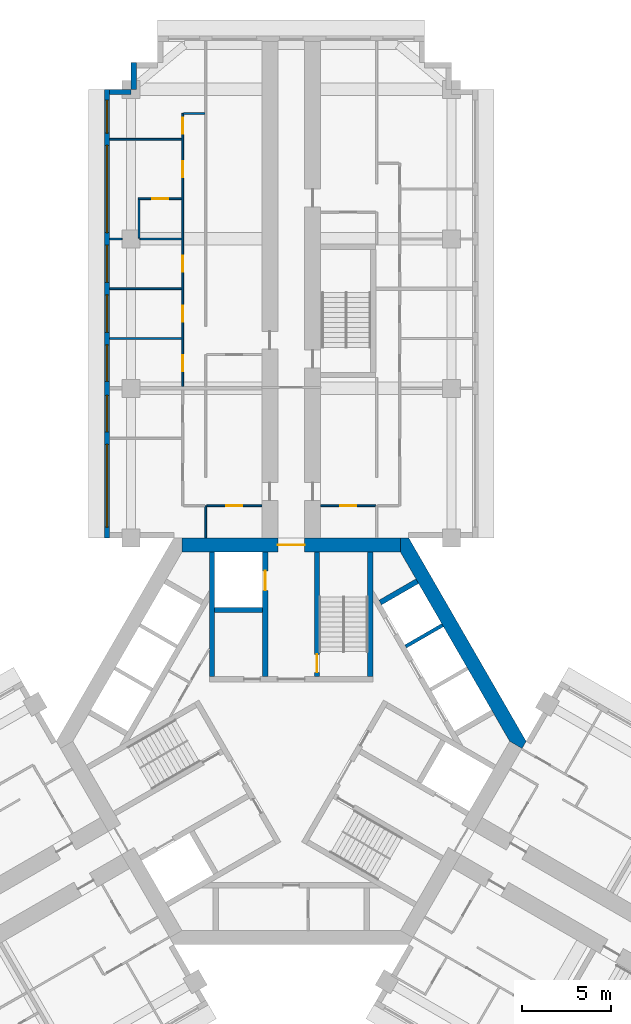
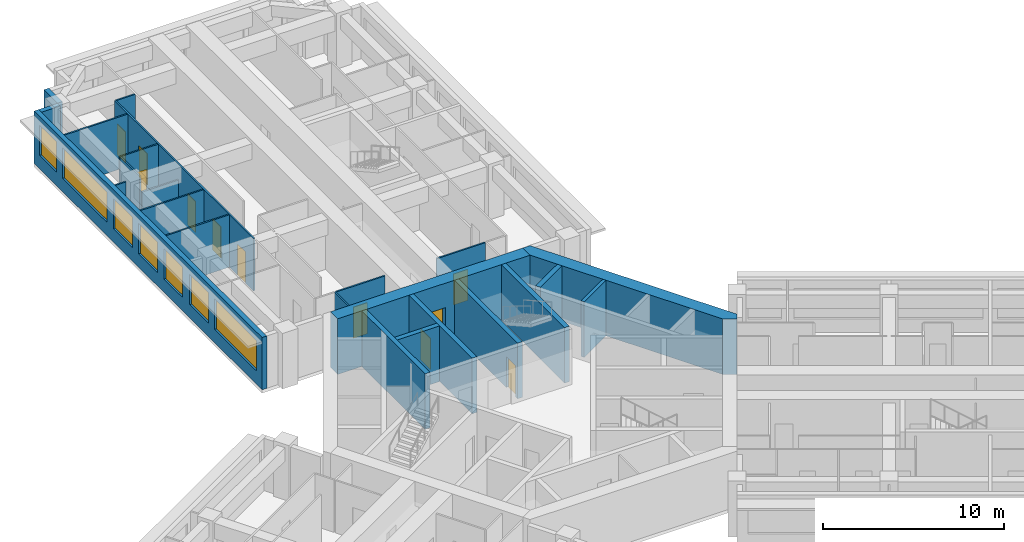
# One storey, part 8 of 12: 24 walls, 11 doors, 7 windows, 18 openings.
"""IFC4 building model written with IfcOpenShell, lengths in metres."""

from ifc_helpers import new_model, si_unit, direction, frame, frame_2d, origin, place, context, subcontext, project, spatial, polyline, rectangle, outline, extrude, material, layer, layer_set, type_object, element, fill, save


model = new_model("IFC4")

# Units and contexts
model_context = context("Model", 3, precision=1e-05, world=origin(), true_north=direction((0.0, 1.0)))
body_context = subcontext(model_context, "Body", "Model", "MODEL_VIEW")
ifc_project = project(units=[si_unit("LENGTHUNIT", "METRE"), si_unit("AREAUNIT", "SQUARE_METRE"), si_unit("VOLUMEUNIT", "CUBIC_METRE"), si_unit("PLANEANGLEUNIT", "RADIAN"), si_unit("MASSUNIT", "GRAM", prefix="KILO")], contexts=[model_context])

# Site, building, storey
site_placement = place(None, origin())
site = spatial("IfcSite", under=ifc_project, at=site_placement, CompositionType="ELEMENT")
building_placement = place(site_placement, origin())
building = spatial("IfcBuilding", under=site, at=building_placement, Name="Impinga Residences", CompositionType="ELEMENT")
storey_placement = place(building_placement, frame((0.0, 0.0, 173.5)))
storey = spatial("IfcBuildingStorey", under=building, at=storey_placement, Name="L43", CompositionType="ELEMENT", Elevation=173.5)

# Wall, openings, windows
ifc_material_1 = material(Name="Terracotta rainscreen on blockwork", Category="masonry")
ifc_layer_1 = layer(ifc_material_1, 0.300048828125)
ifc_layer_set_1 = layer_set([ifc_layer_1], Name="EW1 external wall, terracotta rainscreen on blockwork 300")
wall_type_1 = type_object("IfcWallType", Name="EW1 external wall, terracotta rainscreen on blockwork 300", PredefinedType="SOLIDWALL", material=ifc_layer_set_1)
wall_1_placement = place(storey_placement, frame((-10.35009765625, 11.431640625, 0.0), z_axis=(0.0, 0.0, 1.0), x_axis=(0.0, 1.0, 0.0)))
wall_1 = element("IfcWall", 1, at=wall_1_placement, inside=storey, type_object=wall_type_1, Name="External wall EW1 L43", PredefinedType="SOLIDWALL", context=body_context, shape_type="SweptSolid", body=[
    extrude(rectangle(XDim=25.199951171875, YDim=0.300048828125, at=frame_2d((12.60009765625, 0.0))), origin(), (0.0, 0.0, 1.0), 3.530029296875),
])
opening_1_placement = place(wall_1_placement, frame((0.60009765625, 0.0, 0.89990234375)))
opening_1 = element("IfcOpeningElement", 2, at=opening_1_placement, cuts=wall_1, Name="Opening W10", PredefinedType="OPENING", context=body_context, shape_type="SweptSolid", body=[
    extrude(rectangle(XDim=4.64990234375, YDim=2.050048828125, at=frame_2d((2.324951171875, 1.02490234375))), frame((0.0, 0.159912109375, 0.0), z_axis=(0.0, -1.0, 0.0), x_axis=(1.0, 0.0, 0.0)), (0.0, 0.0, 1.0), 0.320068359375),
])
opening_2_placement = place(wall_1_placement, frame((5.949951171875, 0.0, 0.89990234375)))
opening_2 = element("IfcOpeningElement", 3, at=opening_2_placement, cuts=wall_1, Name="Opening W14", PredefinedType="OPENING", context=body_context, shape_type="SweptSolid", body=[
    extrude(rectangle(XDim=2.050048828125, YDim=2.050048828125, at=frame_2d((1.02490234375, 1.02490234375))), frame((0.0, 0.159912109375, 0.0), z_axis=(0.0, -1.0, 0.0), x_axis=(1.0, 0.0, 0.0)), (0.0, 0.0, 1.0), 0.320068359375),
])
opening_3_placement = place(wall_1_placement, frame((8.800048828125, 0.0, 0.89990234375)))
opening_3 = element("IfcOpeningElement", 4, at=opening_3_placement, cuts=wall_1, Name="Opening W14", PredefinedType="OPENING", context=body_context, shape_type="SweptSolid", body=[
    extrude(rectangle(XDim=2.050048828125, YDim=2.050048828125, at=frame_2d((1.02490234375, 1.02490234375))), frame((0.0, 0.159912109375, 0.0), z_axis=(0.0, -1.0, 0.0), x_axis=(1.0, 0.0, 0.0)), (0.0, 0.0, 1.0), 0.320068359375),
])
opening_4_placement = place(wall_1_placement, frame((11.550048828125, 0.0, 0.89990234375)))
opening_4 = element("IfcOpeningElement", 5, at=opening_4_placement, cuts=wall_1, Name="Opening W9", PredefinedType="OPENING", context=body_context, shape_type="SweptSolid", body=[
    extrude(rectangle(XDim=2.10009765625, YDim=2.050048828125, at=frame_2d((1.050048828125, 1.02490234375))), frame((0.0, 0.159912109375, 0.0), z_axis=(0.0, -1.0, 0.0), x_axis=(1.0, 0.0, 0.0)), (0.0, 0.0, 1.0), 0.320068359375),
])
opening_5_placement = place(wall_1_placement, frame((14.35009765625, 0.0, 0.89990234375)))
opening_5 = element("IfcOpeningElement", 6, at=opening_5_placement, cuts=wall_1, Name="Opening W9", PredefinedType="OPENING", context=body_context, shape_type="SweptSolid", body=[
    extrude(rectangle(XDim=2.10009765625, YDim=2.050048828125, at=frame_2d((1.050048828125, 1.02490234375))), frame((0.0, 0.159912109375, 0.0), z_axis=(0.0, -1.0, 0.0), x_axis=(1.0, 0.0, 0.0)), (0.0, 0.0, 1.0), 0.320068359375),
])
opening_6_placement = place(wall_1_placement, frame((17.14990234375, 0.0, 0.89990234375)))
opening_6 = element("IfcOpeningElement", 7, at=opening_6_placement, cuts=wall_1, Name="Opening W16", PredefinedType="OPENING", context=body_context, shape_type="SweptSolid", body=[
    extrude(rectangle(XDim=4.89990234375, YDim=2.050048828125, at=frame_2d((2.449951171875, 1.02490234375))), frame((0.0, 0.159912109375, 0.0), z_axis=(0.0, -1.0, 0.0), x_axis=(1.0, 0.0, 0.0)), (0.0, 0.0, 1.0), 0.320068359375),
])
opening_7_placement = place(wall_1_placement, frame((22.75, 0.0, 0.89990234375)))
opening_7 = element("IfcOpeningElement", 8, at=opening_7_placement, cuts=wall_1, Name="Opening W15", PredefinedType="OPENING", context=body_context, shape_type="SweptSolid", body=[
    extrude(rectangle(XDim=1.85009765625, YDim=2.050048828125, at=frame_2d((0.925048828125, 1.02490234375))), frame((0.0, 0.159912109375, 0.0), z_axis=(0.0, -1.0, 0.0), x_axis=(1.0, 0.0, 0.0)), (0.0, 0.0, 1.0), 0.320068359375),
])
ifc_material_2 = material(Name="Aluminium window, clear double glazing", Category="aluminium")
window_type_1 = type_object("IfcWindowType", Name="W10 ribbon window 4650x2050", PartitioningType="SINGLE_PANEL", PredefinedType="WINDOW", material=ifc_material_2)
window_1_placement = place(opening_1_placement, origin())
window_1 = element("IfcWindow", 9, at=window_1_placement, inside=storey, type_object=window_type_1, Name="Window L43", OverallHeight=2.050048828125, OverallWidth=4.64990234375, PartitioningType="SINGLE_PANEL", PredefinedType="WINDOW", context=body_context, shape_type="SweptSolid", body=[
    extrude(rectangle(XDim=4.64990234375, YDim=2.050048828125, at=frame_2d((2.324951171875, 1.02490234375))), frame((0.0, 0.030029296875, 0.0), z_axis=(0.0, -1.0, 0.0), x_axis=(1.0, 0.0, 0.0)), (0.0, 0.0, 1.0), 0.06005859375),
])
fill(opening_1, window_1)
window_type_2 = type_object("IfcWindowType", Name="W14 ribbon window 2050x2050", PartitioningType="SINGLE_PANEL", PredefinedType="WINDOW", material=ifc_material_2)
window_2_placement = place(opening_2_placement, origin())
window_2 = element("IfcWindow", 10, at=window_2_placement, inside=storey, type_object=window_type_2, Name="Window L43", OverallHeight=2.050048828125, OverallWidth=2.050048828125, PartitioningType="SINGLE_PANEL", PredefinedType="WINDOW", context=body_context, shape_type="SweptSolid", body=[
    extrude(rectangle(XDim=2.050048828125, YDim=2.050048828125, at=frame_2d((1.02490234375, 1.02490234375))), frame((0.0, 0.030029296875, 0.0), z_axis=(0.0, -1.0, 0.0), x_axis=(1.0, 0.0, 0.0)), (0.0, 0.0, 1.0), 0.06005859375),
])
fill(opening_2, window_2)
window_3_placement = place(opening_3_placement, origin())
window_3 = element("IfcWindow", 11, at=window_3_placement, inside=storey, type_object=window_type_2, Name="Window L43", OverallHeight=2.050048828125, OverallWidth=2.050048828125, PartitioningType="SINGLE_PANEL", PredefinedType="WINDOW", context=body_context, shape_type="SweptSolid", body=[
    extrude(rectangle(XDim=2.050048828125, YDim=2.050048828125, at=frame_2d((1.02490234375, 1.02490234375))), frame((0.0, 0.030029296875, 0.0), z_axis=(0.0, -1.0, 0.0), x_axis=(1.0, 0.0, 0.0)), (0.0, 0.0, 1.0), 0.06005859375),
])
fill(opening_3, window_3)
window_type_3 = type_object("IfcWindowType", Name="W15 ribbon window 1850x2050", PartitioningType="SINGLE_PANEL", PredefinedType="WINDOW", material=ifc_material_2)
window_4_placement = place(opening_7_placement, origin())
window_4 = element("IfcWindow", 12, at=window_4_placement, inside=storey, type_object=window_type_3, Name="Window L43", OverallHeight=2.050048828125, OverallWidth=1.85009765625, PartitioningType="SINGLE_PANEL", PredefinedType="WINDOW", context=body_context, shape_type="SweptSolid", body=[
    extrude(rectangle(XDim=1.85009765625, YDim=2.050048828125, at=frame_2d((0.925048828125, 1.02490234375))), frame((0.0, 0.030029296875, 0.0), z_axis=(0.0, -1.0, 0.0), x_axis=(1.0, 0.0, 0.0)), (0.0, 0.0, 1.0), 0.06005859375),
])
fill(opening_7, window_4)
window_type_4 = type_object("IfcWindowType", Name="W16 ribbon window 4900x2050", PartitioningType="SINGLE_PANEL", PredefinedType="WINDOW", material=ifc_material_2)
window_5_placement = place(opening_6_placement, origin())
window_5 = element("IfcWindow", 13, at=window_5_placement, inside=storey, type_object=window_type_4, Name="Window L43", OverallHeight=2.050048828125, OverallWidth=4.89990234375, PartitioningType="SINGLE_PANEL", PredefinedType="WINDOW", context=body_context, shape_type="SweptSolid", body=[
    extrude(rectangle(XDim=4.89990234375, YDim=2.050048828125, at=frame_2d((2.449951171875, 1.02490234375))), frame((0.0, 0.030029296875, 0.0), z_axis=(0.0, -1.0, 0.0), x_axis=(1.0, 0.0, 0.0)), (0.0, 0.0, 1.0), 0.06005859375),
])
fill(opening_6, window_5)
window_type_5 = type_object("IfcWindowType", Name="W9 ribbon window 2100x2050", PartitioningType="SINGLE_PANEL", PredefinedType="WINDOW", material=ifc_material_2)
window_6_placement = place(opening_4_placement, origin())
window_6 = element("IfcWindow", 14, at=window_6_placement, inside=storey, type_object=window_type_5, Name="Window L43", OverallHeight=2.050048828125, OverallWidth=2.10009765625, PartitioningType="SINGLE_PANEL", PredefinedType="WINDOW", context=body_context, shape_type="SweptSolid", body=[
    extrude(rectangle(XDim=2.10009765625, YDim=2.050048828125, at=frame_2d((1.050048828125, 1.02490234375))), frame((0.0, 0.030029296875, 0.0), z_axis=(0.0, -1.0, 0.0), x_axis=(1.0, 0.0, 0.0)), (0.0, 0.0, 1.0), 0.06005859375),
])
fill(opening_4, window_6)
window_7_placement = place(opening_5_placement, origin())
window_7 = element("IfcWindow", 15, at=window_7_placement, inside=storey, type_object=window_type_5, Name="Window L43", OverallHeight=2.050048828125, OverallWidth=2.10009765625, PartitioningType="SINGLE_PANEL", PredefinedType="WINDOW", context=body_context, shape_type="SweptSolid", body=[
    extrude(rectangle(XDim=2.10009765625, YDim=2.050048828125, at=frame_2d((1.050048828125, 1.02490234375))), frame((0.0, 0.030029296875, 0.0), z_axis=(0.0, -1.0, 0.0), x_axis=(1.0, 0.0, 0.0)), (0.0, 0.0, 1.0), 0.06005859375),
])
fill(opening_5, window_7)

# Walls
wall_2_placement = place(storey_placement, frame((-10.199951171875, 36.4814453125, 0.0), z_axis=(0.0, 0.0, 1.0), x_axis=(1.0, 0.0, 0.0)))
element("IfcWall", 16, at=wall_2_placement, inside=storey, type_object=wall_type_1, Name="External wall EW1 L43", PredefinedType="SOLIDWALL", context=body_context, shape_type="SweptSolid", body=[
    extrude(rectangle(XDim=1.199951171875, YDim=0.300048828125, at=frame_2d((0.60009765625, 0.0))), origin(), (0.0, 0.0, 1.0), 3.530029296875),
])
wall_3_placement = place(storey_placement, frame((-8.85009765625, 36.636474609375, 0.0), z_axis=(0.0, 0.0, 1.0), x_axis=(0.0, 1.0, 0.0)))
element("IfcWall", 17, at=wall_3_placement, inside=storey, type_object=wall_type_1, Name="External wall EW1 L43", PredefinedType="SOLIDWALL", context=body_context, shape_type="SweptSolid", body=[
    extrude(rectangle(XDim=1.4951171875, YDim=0.300048828125, at=frame_2d((0.74755859375, 0.0))), origin(), (0.0, 0.0, 1.0), 3.530029296875),
])
ifc_material_3 = material(Name="Gypsum board on steel studs", Category="steel")
ifc_layer_2 = layer(ifc_material_3, 0.10009765625)
ifc_layer_set_2 = layer_set([ifc_layer_2], Name="Gypsum board on steel studs")
wall_type_2 = type_object("IfcWallType", Name="IP1 partition 100", PredefinedType="PARTITIONING", material=ifc_layer_set_2)
wall_4_placement = place(storey_placement, frame((-4.800048828125, 11.431640625, 0.0), z_axis=(0.0, 0.0, 1.0), x_axis=(0.0, 1.0, 0.0)))
element("IfcWall", 18, at=wall_4_placement, inside=storey, type_object=wall_type_2, Name="Partition L43-NA1:DIV0", PredefinedType="PARTITIONING", context=body_context, shape_type="SweptSolid", body=[
    extrude(rectangle(XDim=1.7998046875, YDim=0.10009765625, at=frame_2d((0.89990234375, 0.0))), origin(), (0.0, 0.0, 1.0), 3.530029296875),
])

# Wall, opening, door
wall_5_placement = place(storey_placement, frame((-1.64990234375, 13.2314453125, 0.0), z_axis=(0.0, 0.0, 1.0), x_axis=(-1.0, 0.0, 0.0)))
wall_5 = element("IfcWall", 19, at=wall_5_placement, inside=storey, type_object=wall_type_2, Name="Partition L43-NA1:IB1", PredefinedType="PARTITIONING", context=body_context, shape_type="SweptSolid", body=[
    extrude(rectangle(XDim=3.10009765625, YDim=0.10009765625, at=frame_2d((1.550048828125, 0.0))), origin(), (0.0, 0.0, 1.0), 3.530029296875),
])
opening_8_placement = place(wall_5_placement, frame((1.10009765625, 0.0, 0.0)))
opening_8 = element("IfcOpeningElement", 20, at=opening_8_placement, cuts=wall_5, Name="Opening D2", PredefinedType="OPENING", context=body_context, shape_type="SweptSolid", body=[
    extrude(rectangle(XDim=0.89990234375, YDim=2.10009765625, at=frame_2d((0.449951171875, 1.050048828125))), frame((0.0, 0.06005859375, 0.0), z_axis=(0.0, -1.0, 0.0), x_axis=(1.0, 0.0, 0.0)), (0.0, 0.0, 1.0), 0.1201171875),
])
ifc_material_4 = material(Name="Timber door set", Category="wood")
door_type_1 = type_object("IfcDoorType", Name="D2 internal door 900x2100", OperationType="SINGLE_SWING_LEFT", PredefinedType="DOOR", material=ifc_material_4)
door_1_placement = place(opening_8_placement, origin())
door_1 = element("IfcDoor", 21, at=door_1_placement, inside=storey, type_object=door_type_1, Name="Apartment L43-NA1 bathroom door", OperationType="SINGLE_SWING_LEFT", OverallHeight=2.10009765625, OverallWidth=0.89990234375, PredefinedType="DOOR", context=body_context, shape_type="SweptSolid", body=[
    extrude(rectangle(XDim=0.89990234375, YDim=2.10009765625, at=frame_2d((0.449951171875, 1.050048828125))), frame((0.0, 0.02490234375, 0.0), z_axis=(0.0, -1.0, 0.0), x_axis=(1.0, 0.0, 0.0)), (0.0, 0.0, 1.0), 0.050048828125),
])
fill(opening_8, door_1)

# Wall, openings, doors
wall_6_placement = place(storey_placement, frame((-6.10009765625, 19.931640625, 0.0), z_axis=(0.0, 0.0, 1.0), x_axis=(0.0, 1.0, 0.0)))
wall_6 = element("IfcWall", 22, at=wall_6_placement, inside=storey, type_object=wall_type_2, Name="Partition L43-NA2:STRIP", PredefinedType="PARTITIONING", context=body_context, shape_type="SweptSolid", body=[
    extrude(rectangle(XDim=15.349853515625, YDim=0.10009765625, at=frame_2d((7.6748046875, 0.0))), origin(), (0.0, 0.0, 1.0), 3.530029296875),
])
opening_9_placement = place(wall_6_placement, frame((0.875, 0.0, 0.0)))
opening_9 = element("IfcOpeningElement", 23, at=opening_9_placement, cuts=wall_6, Name="Opening D2", PredefinedType="OPENING", context=body_context, shape_type="SweptSolid", body=[
    extrude(rectangle(XDim=0.89990234375, YDim=2.10009765625, at=frame_2d((0.449951171875, 1.050048828125))), frame((0.0, 0.06005859375, 0.0), z_axis=(0.0, -1.0, 0.0), x_axis=(1.0, 0.0, 0.0)), (0.0, 0.0, 1.0), 0.1201171875),
])
opening_10_placement = place(wall_6_placement, frame((3.64990234375, 0.0, 0.0)))
opening_10 = element("IfcOpeningElement", 24, at=opening_10_placement, cuts=wall_6, Name="Opening D2", PredefinedType="OPENING", context=body_context, shape_type="SweptSolid", body=[
    extrude(rectangle(XDim=0.89990234375, YDim=2.10009765625, at=frame_2d((0.449951171875, 1.050048828125))), frame((0.0, 0.06005859375, 0.0), z_axis=(0.0, -1.0, 0.0), x_axis=(1.0, 0.0, 0.0)), (0.0, 0.0, 1.0), 0.1201171875),
])
opening_11_placement = place(wall_6_placement, frame((6.449951171875, 0.0, 0.0)))
opening_11 = element("IfcOpeningElement", 25, at=opening_11_placement, cuts=wall_6, Name="Opening D2", PredefinedType="OPENING", context=body_context, shape_type="SweptSolid", body=[
    extrude(rectangle(XDim=0.89990234375, YDim=2.10009765625, at=frame_2d((0.449951171875, 1.050048828125))), frame((0.0, 0.06005859375, 0.0), z_axis=(0.0, -1.0, 0.0), x_axis=(1.0, 0.0, 0.0)), (0.0, 0.0, 1.0), 0.1201171875),
])
opening_12_placement = place(wall_6_placement, frame((11.77490234375, 0.0, 0.0)))
opening_12 = element("IfcOpeningElement", 26, at=opening_12_placement, cuts=wall_6, Name="Opening D2", PredefinedType="OPENING", context=body_context, shape_type="SweptSolid", body=[
    extrude(rectangle(XDim=0.89990234375, YDim=2.10009765625, at=frame_2d((0.449951171875, 1.050048828125))), frame((0.0, 0.06005859375, 0.0), z_axis=(0.0, -1.0, 0.0), x_axis=(1.0, 0.0, 0.0)), (0.0, 0.0, 1.0), 0.1201171875),
])
opening_13_placement = place(wall_6_placement, frame((14.199951171875, 0.0, 0.0)))
opening_13 = element("IfcOpeningElement", 27, at=opening_13_placement, cuts=wall_6, Name="Opening D2", PredefinedType="OPENING", context=body_context, shape_type="SweptSolid", body=[
    extrude(rectangle(XDim=0.89990234375, YDim=2.10009765625, at=frame_2d((0.449951171875, 1.050048828125))), frame((0.0, 0.06005859375, 0.0), z_axis=(0.0, -1.0, 0.0), x_axis=(1.0, 0.0, 0.0)), (0.0, 0.0, 1.0), 0.1201171875),
])
door_2_placement = place(opening_9_placement, origin())
door_2 = element("IfcDoor", 28, at=door_2_placement, inside=storey, type_object=door_type_1, Name="Apartment L43-NA2 room door", OperationType="SINGLE_SWING_LEFT", OverallHeight=2.10009765625, OverallWidth=0.89990234375, PredefinedType="DOOR", context=body_context, shape_type="SweptSolid", body=[
    extrude(rectangle(XDim=0.89990234375, YDim=2.10009765625, at=frame_2d((0.449951171875, 1.050048828125))), frame((0.0, 0.02490234375, 0.0), z_axis=(0.0, -1.0, 0.0), x_axis=(1.0, 0.0, 0.0)), (0.0, 0.0, 1.0), 0.050048828125),
])
fill(opening_9, door_2)
door_3_placement = place(opening_10_placement, origin())
door_3 = element("IfcDoor", 29, at=door_3_placement, inside=storey, type_object=door_type_1, Name="Apartment L43-NA2 room door", OperationType="SINGLE_SWING_LEFT", OverallHeight=2.10009765625, OverallWidth=0.89990234375, PredefinedType="DOOR", context=body_context, shape_type="SweptSolid", body=[
    extrude(rectangle(XDim=0.89990234375, YDim=2.10009765625, at=frame_2d((0.449951171875, 1.050048828125))), frame((0.0, 0.02490234375, 0.0), z_axis=(0.0, -1.0, 0.0), x_axis=(1.0, 0.0, 0.0)), (0.0, 0.0, 1.0), 0.050048828125),
])
fill(opening_10, door_3)
door_4_placement = place(opening_11_placement, origin())
door_4 = element("IfcDoor", 30, at=door_4_placement, inside=storey, type_object=door_type_1, Name="Apartment L43-NA2 room door", OperationType="SINGLE_SWING_LEFT", OverallHeight=2.10009765625, OverallWidth=0.89990234375, PredefinedType="DOOR", context=body_context, shape_type="SweptSolid", body=[
    extrude(rectangle(XDim=0.89990234375, YDim=2.10009765625, at=frame_2d((0.449951171875, 1.050048828125))), frame((0.0, 0.02490234375, 0.0), z_axis=(0.0, -1.0, 0.0), x_axis=(1.0, 0.0, 0.0)), (0.0, 0.0, 1.0), 0.050048828125),
])
fill(opening_11, door_4)
door_5_placement = place(opening_12_placement, origin())
door_5 = element("IfcDoor", 31, at=door_5_placement, inside=storey, type_object=door_type_1, Name="Apartment L43-NA2 room door", OperationType="SINGLE_SWING_RIGHT", OverallHeight=2.10009765625, OverallWidth=0.89990234375, PredefinedType="DOOR", context=body_context, shape_type="SweptSolid", body=[
    extrude(rectangle(XDim=0.89990234375, YDim=2.10009765625, at=frame_2d((0.449951171875, 1.050048828125))), frame((0.0, 0.02490234375, 0.0), z_axis=(0.0, -1.0, 0.0), x_axis=(1.0, 0.0, 0.0)), (0.0, 0.0, 1.0), 0.050048828125),
])
fill(opening_12, door_5)
door_6_placement = place(opening_13_placement, origin())
door_6 = element("IfcDoor", 32, at=door_6_placement, inside=storey, type_object=door_type_1, Name="Apartment L43-NA2 room door", OperationType="SINGLE_SWING_RIGHT", OverallHeight=2.10009765625, OverallWidth=0.89990234375, PredefinedType="DOOR", context=body_context, shape_type="SweptSolid", body=[
    extrude(rectangle(XDim=0.89990234375, YDim=2.10009765625, at=frame_2d((0.449951171875, 1.050048828125))), frame((0.0, 0.02490234375, 0.0), z_axis=(0.0, -1.0, 0.0), x_axis=(1.0, 0.0, 0.0)), (0.0, 0.0, 1.0), 0.050048828125),
])
fill(opening_13, door_6)

# Walls
wall_7_placement = place(storey_placement, frame((-4.85009765625, 35.281494140625, 0.0), z_axis=(0.0, 0.0, 1.0), x_axis=(-1.0, 0.0, 0.0)))
element("IfcWall", 33, at=wall_7_placement, inside=storey, type_object=wall_type_2, Name="Partition L43-NA2:SE1", PredefinedType="PARTITIONING", context=body_context, shape_type="SweptSolid", body=[
    extrude(rectangle(XDim=1.199951171875, YDim=0.10009765625, at=frame_2d((0.60009765625, 0.0))), origin(), (0.0, 0.0, 1.0), 3.530029296875),
])
for number, where, z_axis, x_axis, name in (
    (34, (-6.14990234375, 22.631591796875, 0.0), (0.0, 0.0, 1.0), (-1.0, 0.0, 0.0), "Partition L43-NA2:OB1"),
    (35, (-6.14990234375, 25.431640625, 0.0), (0.0, 0.0, 1.0), (-1.0, 0.0, 0.0), "Partition L43-NA2:OB2"),
):
    element("IfcWall", number, at=place(storey_placement, frame(where, z_axis=z_axis, x_axis=x_axis)), inside=storey, type_object=wall_type_2, Name=name, PredefinedType="PARTITIONING", context=body_context, shape_type="SweptSolid", body=[
        extrude(rectangle(XDim=4.050048828125, YDim=0.10009765625, at=frame_2d((2.02490234375, 0.0))), origin(), (0.0, 0.0, 1.0), 3.530029296875),
    ])
wall_8_placement = place(storey_placement, frame((-6.14990234375, 28.2314453125, 0.0), z_axis=(0.0, 0.0, 1.0), x_axis=(-1.0, 0.0, 0.0)))
element("IfcWall", 36, at=wall_8_placement, inside=storey, type_object=wall_type_2, Name="Partition L43-NA2:OB3", PredefinedType="PARTITIONING", context=body_context, shape_type="SweptSolid", body=[
    extrude(rectangle(XDim=2.35009765625, YDim=0.10009765625, at=frame_2d((1.175048828125, 0.0))), origin(), (0.0, 0.0, 1.0), 2.47998046875),
])
wall_9_placement = place(storey_placement, frame((-9.5, 28.2314453125, 0.0), z_axis=(0.0, 0.0, 1.0), x_axis=(-1.0, 0.0, 0.0)))
element("IfcWall", 37, at=wall_9_placement, inside=storey, type_object=wall_type_2, Name="Partition L43-NA2:OB3b", PredefinedType="PARTITIONING", context=body_context, shape_type="SweptSolid", body=[
    extrude(rectangle(XDim=0.699951171875, YDim=0.10009765625, at=frame_2d((0.35009765625, 0.0))), origin(), (0.0, 0.0, 1.0), 3.530029296875),
])
wall_10_placement = place(storey_placement, frame((-6.14990234375, 33.83154296875, 0.0), z_axis=(0.0, 0.0, 1.0), x_axis=(-1.0, 0.0, 0.0)))
element("IfcWall", 38, at=wall_10_placement, inside=storey, type_object=wall_type_2, Name="Partition L43-NA2:OB4", PredefinedType="PARTITIONING", context=body_context, shape_type="SweptSolid", body=[
    extrude(rectangle(XDim=4.050048828125, YDim=0.10009765625, at=frame_2d((2.02490234375, 0.0))), origin(), (0.0, 0.0, 1.0), 3.530029296875),
])

# Wall, opening, door
wall_11_placement = place(storey_placement, frame((-6.14990234375, 30.4814453125, 0.0), z_axis=(0.0, 0.0, 1.0), x_axis=(-1.0, 0.0, 0.0)))
wall_11 = element("IfcWall", 39, at=wall_11_placement, inside=storey, type_object=wall_type_2, Name="Partition L43-NA2:EN1", PredefinedType="PARTITIONING", context=body_context, shape_type="SweptSolid", body=[
    extrude(rectangle(XDim=2.4501953125, YDim=0.10009765625, at=frame_2d((1.22509765625, 0.0))), origin(), (0.0, 0.0, 1.0), 3.530029296875),
])
opening_14_placement = place(wall_11_placement, frame((0.75, 0.0, 0.0)))
opening_14 = element("IfcOpeningElement", 40, at=opening_14_placement, cuts=wall_11, Name="Opening D2", PredefinedType="OPENING", context=body_context, shape_type="SweptSolid", body=[
    extrude(rectangle(XDim=0.89990234375, YDim=2.10009765625, at=frame_2d((0.449951171875, 1.050048828125))), frame((0.0, 0.06005859375, 0.0), z_axis=(0.0, -1.0, 0.0), x_axis=(1.0, 0.0, 0.0)), (0.0, 0.0, 1.0), 0.1201171875),
])
door_7_placement = place(opening_14_placement, origin())
door_7 = element("IfcDoor", 41, at=door_7_placement, inside=storey, type_object=door_type_1, Name="Apartment L43-NA2 en-suite door", OperationType="SINGLE_SWING_LEFT", OverallHeight=2.10009765625, OverallWidth=0.89990234375, PredefinedType="DOOR", context=body_context, shape_type="SweptSolid", body=[
    extrude(rectangle(XDim=0.89990234375, YDim=2.10009765625, at=frame_2d((0.449951171875, 1.050048828125))), frame((0.0, 0.02490234375, 0.0), z_axis=(0.0, -1.0, 0.0), x_axis=(1.0, 0.0, 0.0)), (0.0, 0.0, 1.0), 0.050048828125),
])
fill(opening_14, door_7)

# Wall
wall_12_placement = place(storey_placement, frame((-8.550048828125, 28.281494140625, 0.0), z_axis=(0.0, 0.0, 1.0), x_axis=(0.0, 1.0, 0.0)))
element("IfcWall", 42, at=wall_12_placement, inside=storey, type_object=wall_type_2, Name="Partition L43-NA2:EN2", PredefinedType="PARTITIONING", context=body_context, shape_type="SweptSolid", body=[
    extrude(rectangle(XDim=2.150146484375, YDim=0.10009765625, at=frame_2d((1.0751953125, 0.0))), origin(), (0.0, 0.0, 1.0), 3.530029296875),
])

# Wall, opening, door
wall_13_placement = place(storey_placement, frame((1.64990234375, 13.2314453125, 0.0), z_axis=(0.0, 0.0, 1.0), x_axis=(1.0, 0.0, 0.0)))
wall_13 = element("IfcWall", 43, at=wall_13_placement, inside=storey, type_object=wall_type_2, Name="Partition L43-NF1:IB1", PredefinedType="PARTITIONING", context=body_context, shape_type="SweptSolid", body=[
    extrude(rectangle(XDim=3.10009765625, YDim=0.10009765625, at=frame_2d((1.550048828125, 0.0))), origin(), (0.0, 0.0, 1.0), 3.530029296875),
])
opening_15_placement = place(wall_13_placement, frame((1.10009765625, 0.0, 0.0)))
opening_15 = element("IfcOpeningElement", 44, at=opening_15_placement, cuts=wall_13, Name="Opening D2", PredefinedType="OPENING", context=body_context, shape_type="SweptSolid", body=[
    extrude(rectangle(XDim=0.89990234375, YDim=2.10009765625, at=frame_2d((0.449951171875, 1.050048828125))), frame((0.0, 0.06005859375, 0.0), z_axis=(0.0, -1.0, 0.0), x_axis=(1.0, 0.0, 0.0)), (0.0, 0.0, 1.0), 0.1201171875),
])
door_8_placement = place(opening_15_placement, origin())
door_8 = element("IfcDoor", 45, at=door_8_placement, inside=storey, type_object=door_type_1, Name="Apartment L43-NF1 bathroom door", OperationType="SINGLE_SWING_LEFT", OverallHeight=2.10009765625, OverallWidth=0.89990234375, PredefinedType="DOOR", context=body_context, shape_type="SweptSolid", body=[
    extrude(rectangle(XDim=0.89990234375, YDim=2.10009765625, at=frame_2d((0.449951171875, 1.050048828125))), frame((0.0, 0.02490234375, 0.0), z_axis=(0.0, -1.0, 0.0), x_axis=(1.0, 0.0, 0.0)), (0.0, 0.0, 1.0), 0.050048828125),
])
fill(opening_15, door_8)

ifc_material_5 = material(Name="Concrete C60/75", Category="concrete")
ifc_layer_3 = layer(ifc_material_5, 0.800048828125)
ifc_layer_set_3 = layer_set([ifc_layer_3], Name="Concrete C60/75")
wall_type_3 = type_object("IfcWallType", Name="SW2 core wall 800", PredefinedType="SHEAR", material=ifc_layer_set_3)
wall_14_placement = place(storey_placement, frame((-6.13818359375, 11.031494140625, 0.0), z_axis=(0.0, 0.0, 1.0), x_axis=(1.0, 0.0, 0.0)))
wall_14 = element("IfcWall", 46, at=wall_14_placement, inside=storey, type_object=wall_type_3, Name="Core wall SW2 N:FACE L43", PredefinedType="SHEAR", context=body_context, shape_type="SweptSolid", body=[
    extrude(rectangle(XDim=12.2763671875, YDim=0.800048828125, at=frame_2d((6.13818359375, 0.0))), origin(), (0.0, 0.0, 1.0), 3.75),
])
opening_16_placement = place(wall_14_placement, frame((5.38818359375, 0.0, 0.0)))
opening_16 = element("IfcOpeningElement", 47, at=opening_16_placement, cuts=wall_14, Name="Opening D4", PredefinedType="OPENING", context=body_context, shape_type="SweptSolid", body=[
    extrude(rectangle(XDim=1.5, YDim=2.10009765625, at=frame_2d((0.75, 1.050048828125))), frame((0.0, 0.409912109375, 0.0), z_axis=(0.0, -1.0, 0.0), x_axis=(1.0, 0.0, 0.0)), (0.0, 0.0, 1.0), 0.820068359375),
])
door_type_2 = type_object("IfcDoorType", Name="D4 lobby door pair 1500x2100", OperationType="DOUBLE_DOOR_DOUBLE_SWING", PredefinedType="DOOR", material=ifc_material_4)
door_9_placement = place(opening_16_placement, origin())
door_9 = element("IfcDoor", 48, at=door_9_placement, inside=storey, type_object=door_type_2, Name="Lobby door N", OperationType="DOUBLE_DOOR_DOUBLE_SWING", OverallHeight=2.10009765625, OverallWidth=1.5, PredefinedType="DOOR", context=body_context, shape_type="SweptSolid", body=[
    extrude(rectangle(XDim=1.5, YDim=2.10009765625, at=frame_2d((0.75, 1.050048828125))), frame((0.0, 0.02490234375, 0.0), z_axis=(0.0, -1.0, 0.0), x_axis=(1.0, 0.0, 0.0)), (0.0, 0.0, 1.0), 0.050048828125),
])
fill(opening_16, door_9)

# Wall
wall_15_placement = place(storey_placement, origin())
element("IfcWall", 49, at=wall_15_placement, inside=storey, type_object=wall_type_3, Name="Core wall SW2 W:EXPOSED L43", PredefinedType="SHEAR", context=body_context, shape_type="SweptSolid", body=[
    extrude(outline(polyline([(13.199951171875, 0.0), (6.60009765625, 11.431640625), (6.13818359375, 11.431640625), (6.13818359375, 10.631591796875), (12.276123046875, 0.0), (12.968994140625, -0.39990234375), (13.199951171875, 0.0)])), origin(), (0.0, 0.0, 1.0), 3.75),
])

# Wall, opening, door
ifc_material_6 = material(Name="Concrete C70/85", Category="concrete")
ifc_layer_4 = layer(ifc_material_6, 0.300048828125)
ifc_layer_set_4 = layer_set([ifc_layer_4], Name="Concrete C70/85")
wall_type_4 = type_object("IfcWallType", Name="SW5 core inner wall, stairs, shafts and lobbies 300", PredefinedType="SHEAR", material=ifc_layer_set_4)
wall_16_placement = place(storey_placement, frame((1.449951171875, 3.6298828125, 0.0), z_axis=(0.0, 0.0, 1.0), x_axis=(0.0, 1.0, 0.0)))
wall_16 = element("IfcWall", 50, at=wall_16_placement, inside=storey, type_object=wall_type_4, Name="Core wall SW5 N:ST-IN L43", PredefinedType="SHEAR", context=body_context, shape_type="SweptSolid", body=[
    extrude(rectangle(XDim=7.001708984375, YDim=0.300048828125, at=frame_2d((3.5009765625, 0.0))), origin(), (0.0, 0.0, 1.0), 3.75),
])
opening_17_placement = place(wall_16_placement, frame((0.25, 0.0, 0.0)))
opening_17 = element("IfcOpeningElement", 51, at=opening_17_placement, cuts=wall_16, Name="Opening D5", PredefinedType="OPENING", context=body_context, shape_type="SweptSolid", body=[
    extrude(rectangle(XDim=1.0, YDim=2.10009765625, at=frame_2d((0.5, 1.050048828125))), frame((0.0, 0.159912109375, 0.0), z_axis=(0.0, -1.0, 0.0), x_axis=(1.0, 0.0, 0.0)), (0.0, 0.0, 1.0), 0.320068359375),
])
door_type_3 = type_object("IfcDoorType", Name="D5 stair door 1000x2100", OperationType="SINGLE_SWING_LEFT", PredefinedType="DOOR", material=ifc_material_4)
door_10_placement = place(opening_17_placement, origin())
door_10 = element("IfcDoor", 52, at=door_10_placement, inside=storey, type_object=door_type_3, Name="Stair door N", OperationType="SINGLE_SWING_LEFT", OverallHeight=2.10009765625, OverallWidth=1.0, PredefinedType="DOOR", context=body_context, shape_type="SweptSolid", body=[
    extrude(rectangle(XDim=1.0, YDim=2.10009765625, at=frame_2d((0.5, 1.050048828125))), frame((0.0, 0.02490234375, 0.0), z_axis=(0.0, -1.0, 0.0), x_axis=(1.0, 0.0, 0.0)), (0.0, 0.0, 1.0), 0.050048828125),
])
fill(opening_17, door_10)

# Wall
wall_17_placement = place(storey_placement, frame((4.449951171875, 3.6298828125, 0.0), z_axis=(0.0, 0.0, 1.0), x_axis=(0.0, 1.0, 0.0)))
element("IfcWall", 53, at=wall_17_placement, inside=storey, type_object=wall_type_4, Name="Core wall SW5 N:ST-OUT L43", PredefinedType="SHEAR", context=body_context, shape_type="SweptSolid", body=[
    extrude(rectangle(XDim=7.001708984375, YDim=0.300048828125, at=frame_2d((3.5009765625, 0.0))), origin(), (0.0, 0.0, 1.0), 3.75),
])

# Wall, opening, door
wall_18_placement = place(storey_placement, frame((-1.449951171875, 3.6298828125, 0.0), z_axis=(0.0, 0.0, 1.0), x_axis=(0.0, 1.0, 0.0)))
wall_18 = element("IfcWall", 54, at=wall_18_placement, inside=storey, type_object=wall_type_4, Name="Core wall SW5 N:FF-IN L43", PredefinedType="SHEAR", context=body_context, shape_type="SweptSolid", body=[
    extrude(rectangle(XDim=7.001708984375, YDim=0.300048828125, at=frame_2d((3.5009765625, 0.0))), origin(), (0.0, 0.0, 1.0), 3.75),
])
opening_18_placement = place(wall_18_placement, frame((4.85009765625, 0.0, 0.0)))
opening_18 = element("IfcOpeningElement", 55, at=opening_18_placement, cuts=wall_18, Name="Opening LD2", PredefinedType="OPENING", context=body_context, shape_type="SweptSolid", body=[
    extrude(rectangle(XDim=1.10009765625, YDim=2.10009765625, at=frame_2d((0.550048828125, 1.050048828125))), frame((0.0, 0.159912109375, 0.0), z_axis=(0.0, -1.0, 0.0), x_axis=(1.0, 0.0, 0.0)), (0.0, 0.0, 1.0), 0.320068359375),
])
ifc_material_7 = material(Name="Steel lift landing door", Category="steel")
door_type_4 = type_object("IfcDoorType", Name="LD2 firefighting lift landing door 1100x2100", OperationType="DOUBLE_DOOR_SLIDING", PredefinedType="DOOR", material=ifc_material_7)
door_11_placement = place(opening_18_placement, origin())
door_11 = element("IfcDoor", 56, at=door_11_placement, inside=storey, type_object=door_type_4, Name="Firefighting lift landing door F1", OperationType="DOUBLE_DOOR_SLIDING", OverallHeight=2.10009765625, OverallWidth=1.10009765625, PredefinedType="DOOR", context=body_context, shape_type="SweptSolid", body=[
    extrude(rectangle(XDim=1.10009765625, YDim=2.10009765625, at=frame_2d((0.550048828125, 1.050048828125))), frame((0.0, 0.02490234375, 0.0), z_axis=(0.0, -1.0, 0.0), x_axis=(1.0, 0.0, 0.0)), (0.0, 0.0, 1.0), 0.050048828125),
])
fill(opening_18, door_11)

# Walls
wall_19_placement = place(storey_placement, frame((-4.449951171875, 3.6298828125, 0.0), z_axis=(0.0, 0.0, 1.0), x_axis=(0.0, 1.0, 0.0)))
element("IfcWall", 57, at=wall_19_placement, inside=storey, type_object=wall_type_4, Name="Core wall SW5 N:FF-OUT L43", PredefinedType="SHEAR", context=body_context, shape_type="SweptSolid", body=[
    extrude(rectangle(XDim=7.001708984375, YDim=0.300048828125, at=frame_2d((3.5009765625, 0.0))), origin(), (0.0, 0.0, 1.0), 3.75),
])
wall_20_placement = place(storey_placement, frame((-4.300048828125, 7.3798828125, 0.0), z_axis=(0.0, 0.0, 1.0), x_axis=(1.0, 0.0, 0.0)))
element("IfcWall", 58, at=wall_20_placement, inside=storey, type_object=wall_type_4, Name="Core wall SW5 N:FF-RS L43", PredefinedType="SHEAR", context=body_context, shape_type="SweptSolid", body=[
    extrude(rectangle(XDim=2.699951171875, YDim=0.300048828125, at=frame_2d((1.35009765625, 0.0))), origin(), (0.0, 0.0, 1.0), 3.75),
])
wall_21_placement = place(storey_placement, frame((5.003662109375, 7.79638671875, 0.0), z_axis=(0.0, 0.0, 1.0), x_axis=(0.866050077142, 0.499957262057, 0.0)))
element("IfcWall", 59, at=wall_21_placement, inside=storey, type_object=wall_type_4, Name="Core wall SW5 W:BANK-L L43", PredefinedType="SHEAR", context=body_context, shape_type="SweptSolid", body=[
    extrude(rectangle(XDim=2.400146484375, YDim=0.300048828125, at=frame_2d((1.2001953125, 0.0))), origin(), (0.0, 0.0, 1.0), 3.75),
])
ifc_layer_5 = layer(ifc_material_6, 0.199951171875)
ifc_layer_set_5 = layer_set([ifc_layer_5], Name="Concrete C70/85")
wall_type_5 = type_object("IfcWallType", Name="SW6 lift shaft divider wall 200", PredefinedType="SHEAR", material=ifc_layer_set_5)
wall_22_placement = place(storey_placement, frame((6.4287109375, 5.328125, 0.0), z_axis=(0.0, 0.0, 1.0), x_axis=(0.865980596518, 0.500077600433, 0.0)))
element("IfcWall", 60, at=wall_22_placement, inside=storey, type_object=wall_type_5, Name="Core wall SW6 W:BANK-D1 L43", PredefinedType="SHEAR", context=body_context, shape_type="SweptSolid", body=[
    extrude(rectangle(XDim=2.39990234375, YDim=0.199951171875, at=frame_2d((1.199951171875, 0.0))), origin(), (0.0, 0.0, 1.0), 3.75),
])

save(model, "model.ifc")
